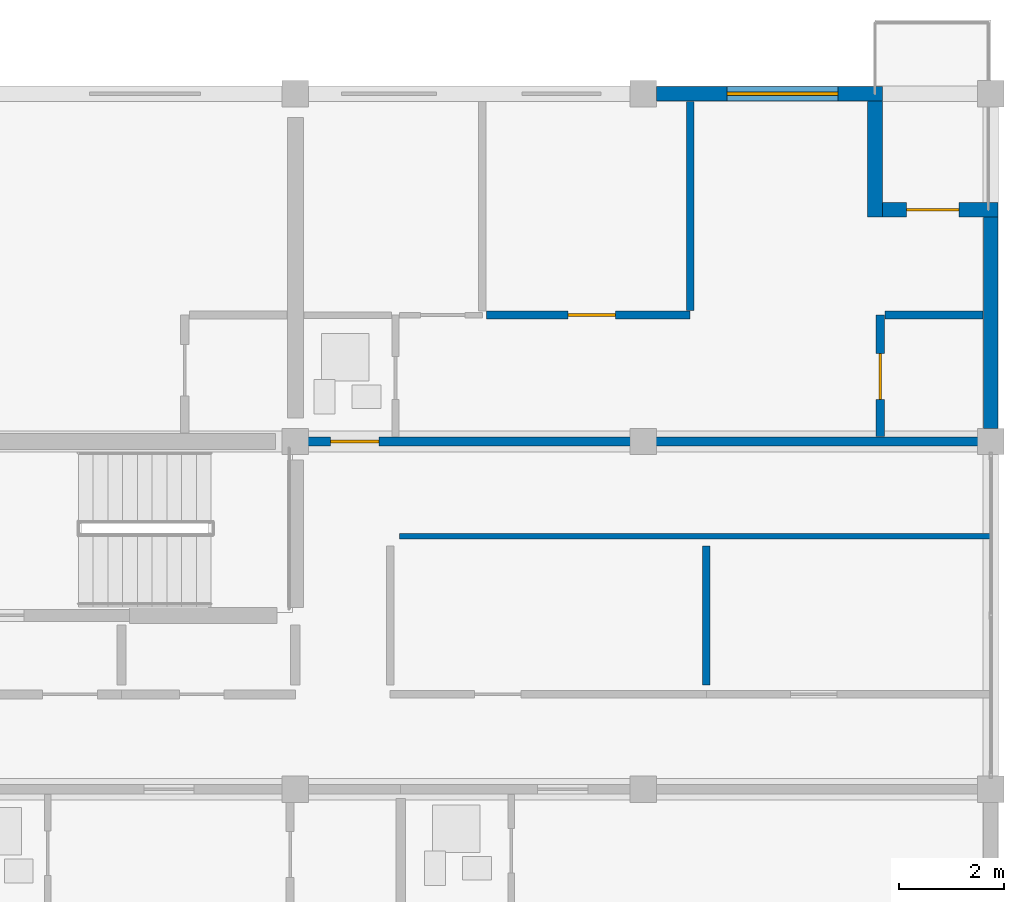
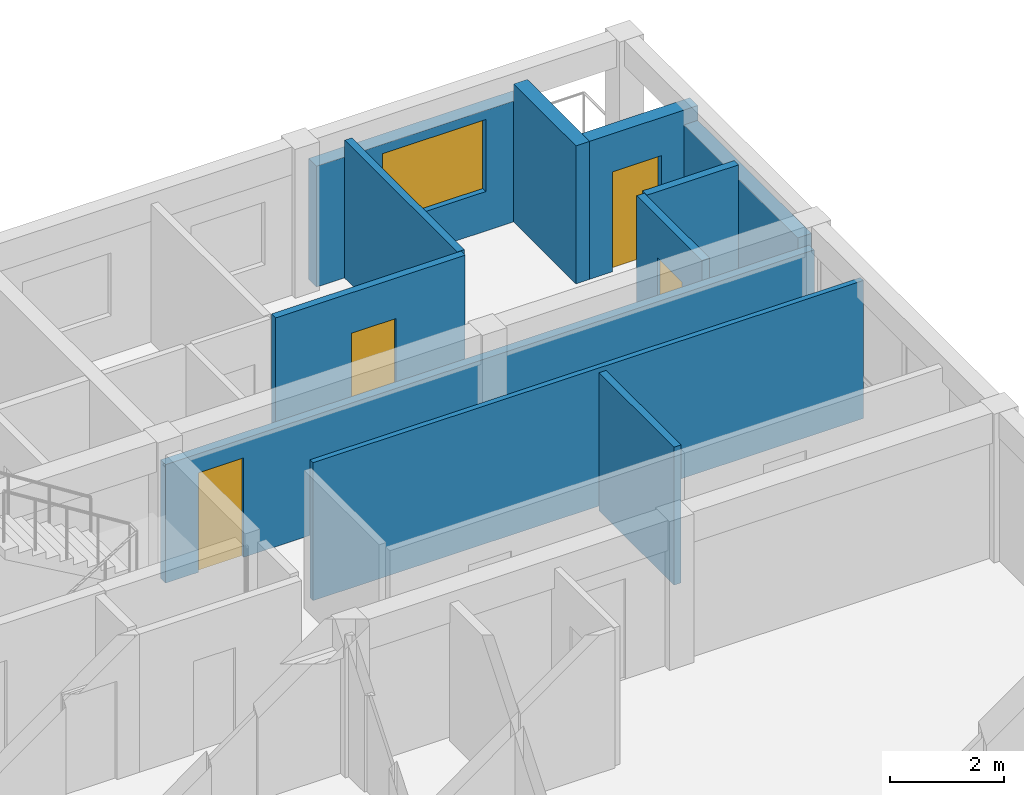
# One storey, part 38 of 49: 11 walls, 4 doors, 1 window, 5 openings.
"""IFC4 building model written with IfcOpenShell, lengths in metres."""

from ifc_helpers import new_model, si_unit, direction, frame, frame_2d, origin, place, context, subcontext, project, spatial, rectangle, extrude, material, layer, layer_set, type_object, element, fill, save


model = new_model("IFC4")

# Units and contexts
model_context = context("Model", 3, precision=1e-05, world=origin(), true_north=direction((0.0, 1.0)))
body_context = subcontext(model_context, "Body", "Model", "MODEL_VIEW")
ifc_project = project(units=[si_unit("LENGTHUNIT", "METRE"), si_unit("AREAUNIT", "SQUARE_METRE"), si_unit("VOLUMEUNIT", "CUBIC_METRE"), si_unit("PLANEANGLEUNIT", "RADIAN"), si_unit("MASSUNIT", "GRAM", prefix="KILO")], contexts=[model_context])

# Site, building, storey
site_placement = place(None, origin())
site = spatial("IfcSite", under=ifc_project, at=site_placement, CompositionType="ELEMENT")
building_placement = place(site_placement, origin())
building = spatial("IfcBuilding", under=site, at=building_placement, Name="Kernevlak Ridge Housing Community", CompositionType="ELEMENT")
storey_placement = place(building_placement, frame((0.0, 0.0, 30.800048828125)))
storey = spatial("IfcBuildingStorey", under=building, at=storey_placement, Name="L09", CompositionType="ELEMENT", Elevation=30.800048828125)

# Wall, opening, window
ifc_material_1 = material(Name="Concrete block masonry M10", Category="masonry")
ifc_layer_1 = layer(ifc_material_1, 0.280029296875, Name="Concrete block masonry M10")
ifc_layer_set_1 = layer_set([ifc_layer_1], Name="Concrete block masonry M10")
wall_type_1 = type_object("IfcWallType", Name="EW-03", PredefinedType="STANDARD", material=ifc_layer_set_1)
wall_1_placement = place(storey_placement, frame((146.050048828125, 102.39990234375, 0.0), z_axis=(0.0, 0.0, 1.0), x_axis=(1.0, 0.0, 0.0)))
wall_1 = element("IfcWall", 1, at=wall_1_placement, inside=storey, type_object=wall_type_1, Name="Exterior wall EW-03 L09 444", PredefinedType="STANDARD", context=body_context, shape_type="SweptSolid", body=[
    extrude(rectangle(XDim=4.2900390625, YDim=0.280029296875, at=frame_2d((2.14501953125, 0.0))), origin(), (0.0, 0.0, 1.0), 2.599853515625),
])
opening_1_placement = place(wall_1_placement, frame((1.345947265625, 0.0, 0.85009765625)))
opening_1 = element("IfcOpeningElement", 2, at=opening_1_placement, cuts=wall_1, Name="Opening WT-05", PredefinedType="OPENING", context=body_context, shape_type="SweptSolid", body=[
    extrude(rectangle(XDim=2.10009765625, YDim=1.550048828125, at=frame_2d((1.050048828125, 0.77490234375))), frame((0.0, 0.14990234375, 0.0), z_axis=(0.0, -1.0, 0.0), x_axis=(1.0, 0.0, 0.0)), (0.0, 0.0, 1.0), 0.300048828125),
])
ifc_material_2 = material(Name="Aluminium EN AW-6060 anodised and laminated glass", Category="aluminium")
window_type = type_object("IfcWindowType", Name="WT-05", PartitioningType="SINGLE_PANEL", PredefinedType="WINDOW", material=ifc_material_2)
window_placement = place(opening_1_placement, origin())
window = element("IfcWindow", 3, at=window_placement, inside=storey, type_object=window_type, Name="Window WT-05 L09 347", OverallHeight=1.550048828125, OverallWidth=2.10009765625, PartitioningType="SINGLE_PANEL", PredefinedType="WINDOW", context=body_context, shape_type="SweptSolid", body=[
    extrude(rectangle(XDim=2.10009765625, YDim=1.550048828125, at=frame_2d((1.050048828125, 0.77490234375))), frame((0.0, 0.030029296875, 0.0), z_axis=(0.0, -1.0, 0.0), x_axis=(1.0, 0.0, 0.0)), (0.0, 0.0, 1.0), 0.06005859375),
])
fill(opening_1, window)

# Wall
wall_2_placement = place(storey_placement, frame((150.199951171875, 102.260009765625, 0.0), z_axis=(0.0, 0.0, 1.0), x_axis=(0.0, -1.0, 0.0)))
element("IfcWall", 4, at=wall_2_placement, inside=storey, type_object=wall_type_1, Name="Exterior wall EW-03 L09 445", PredefinedType="STANDARD", context=body_context, shape_type="SweptSolid", body=[
    extrude(rectangle(XDim=2.199951171875, YDim=0.280029296875, at=frame_2d((1.10009765625, 0.0))), origin(), (0.0, 0.0, 1.0), 2.969970703125),
])

# Wall, opening, door
wall_3_placement = place(storey_placement, frame((150.340087890625, 100.199951171875, 0.0), z_axis=(0.0, 0.0, 1.0), x_axis=(1.0, 0.0, 0.0)))
wall_3 = element("IfcWall", 5, at=wall_3_placement, inside=storey, type_object=wall_type_1, Name="Exterior wall EW-03 L09 446", PredefinedType="STANDARD", context=body_context, shape_type="SweptSolid", body=[
    extrude(rectangle(XDim=2.199951171875, YDim=0.280029296875, at=frame_2d((1.10009765625, 0.0))), origin(), (0.0, 0.0, 1.0), 2.969970703125),
])
opening_2_placement = place(wall_3_placement, frame((0.4599609375, 0.0, 0.0)))
opening_2 = element("IfcOpeningElement", 6, at=opening_2_placement, cuts=wall_3, Name="Opening D894", PredefinedType="OPENING", context=body_context, shape_type="SweptSolid", body=[
    extrude(rectangle(XDim=1.0, YDim=2.14990234375, at=frame_2d((0.5, 1.074951171875))), frame((0.0, 0.14990234375, 0.0), z_axis=(0.0, -1.0, 0.0), x_axis=(1.0, 0.0, 0.0)), (0.0, 0.0, 1.0), 0.300048828125),
])
ifc_material_3 = material(Name="Aluminium EN AW-6060 and laminated safety glass", Category="aluminium")
door_type_1 = type_object("IfcDoorType", Name="DT-08", OperationType="NOTDEFINED", PredefinedType="DOOR", material=ifc_material_3)
door_1_placement = place(opening_2_placement, origin())
door_1 = element("IfcDoor", 7, at=door_1_placement, inside=storey, type_object=door_type_1, Name="Flat B0923 corner balcony glazed door D894", OperationType="SINGLE_SWING_RIGHT", OverallHeight=2.14990234375, OverallWidth=1.0, PredefinedType="DOOR", context=body_context, shape_type="SweptSolid", body=[
    extrude(rectangle(XDim=1.0, YDim=2.14990234375, at=frame_2d((0.5, 1.074951171875))), frame((0.0, 0.02490234375, 0.0), z_axis=(0.0, -1.0, 0.0), x_axis=(1.0, 0.0, 0.0)), (0.0, 0.0, 1.0), 0.050048828125),
])
fill(opening_2, door_1)

# Wall
wall_4_placement = place(storey_placement, frame((152.39990234375, 96.050048828125, 0.0), z_axis=(0.0, 0.0, 1.0), x_axis=(0.0, 1.0, 0.0)))
element("IfcWall", 8, at=wall_4_placement, inside=storey, type_object=wall_type_1, Name="Exterior wall EW-03 L09 450", PredefinedType="STANDARD", context=body_context, shape_type="SweptSolid", body=[
    extrude(rectangle(XDim=4.010009765625, YDim=0.280029296875, at=frame_2d((2.0048828125, 0.0))), origin(), (0.0, 0.0, 1.0), 2.64990234375),
])

# Wall, opening, door
ifc_layer_2 = layer(ifc_material_1, 0.175048828125, Name="Concrete block masonry M10")
ifc_layer_set_2 = layer_set([ifc_layer_2], Name="Concrete block masonry M10")
wall_type_2 = type_object("IfcWallType", Name="PW-02", PredefinedType="PARTITIONING", material=ifc_layer_set_2)
wall_5_placement = place(storey_placement, frame((139.199951171875, 95.800048828125, 0.0), z_axis=(0.0, 0.0, 1.0), x_axis=(1.0, 0.0, 0.0)))
wall_5 = element("IfcWall", 9, at=wall_5_placement, inside=storey, type_object=wall_type_2, Name="Interior wall PW-02 WAL-INT-L09-1756", PredefinedType="PARTITIONING", context=body_context, shape_type="SweptSolid", body=[
    extrude(rectangle(XDim=13.199951171875, YDim=0.175048828125, at=frame_2d((6.60009765625, 0.0))), origin(), (0.0, 0.0, 1.0), 2.550048828125),
])
opening_3_placement = place(wall_5_placement, frame((0.669921875, 0.0, 0.0)))
opening_3 = element("IfcOpeningElement", 10, at=opening_3_placement, cuts=wall_5, Name="Opening D889", PredefinedType="OPENING", context=body_context, shape_type="SweptSolid", body=[
    extrude(rectangle(XDim=0.919921875, YDim=2.139892578125, at=frame_2d((0.4599609375, 1.06982421875))), frame((0.0, 0.097412109375, 0.0), z_axis=(0.0, -1.0, 0.0), x_axis=(1.0, 0.0, 0.0)), (0.0, 0.0, 1.0), 0.195068359375),
])
ifc_material_4 = material(Name="Hardwood timber solid-core fire leaf", Category="wood")
door_type_2 = type_object("IfcDoorType", Name="DT-20", OperationType="NOTDEFINED", PredefinedType="DOOR", material=ifc_material_4)
door_2_placement = place(opening_3_placement, origin())
door_2 = element("IfcDoor", 11, at=door_2_placement, inside=storey, type_object=door_type_2, Name="Flat B0923 entrance fire door D889", OperationType="SINGLE_SWING_LEFT", OverallHeight=2.139892578125, OverallWidth=0.919921875, PredefinedType="DOOR", context=body_context, shape_type="SweptSolid", body=[
    extrude(rectangle(XDim=0.919921875, YDim=2.139892578125, at=frame_2d((0.4599609375, 1.06982421875))), frame((0.0, 0.02490234375, 0.0), z_axis=(0.0, -1.0, 0.0), x_axis=(1.0, 0.0, 0.0)), (0.0, 0.0, 1.0), 0.050048828125),
])
fill(opening_3, door_2)

# Wall
ifc_layer_3 = layer(ifc_material_1, 0.14501953125, Name="Concrete block masonry M10")
ifc_layer_set_3 = layer_set([ifc_layer_3], Name="Concrete block masonry M10")
wall_type_3 = type_object("IfcWallType", Name="PW-03", PredefinedType="PARTITIONING", material=ifc_layer_set_3)
wall_6_placement = place(storey_placement, frame((147.0, 91.179931640625, 0.0), z_axis=(0.0, 0.0, 1.0), x_axis=(0.0, 1.0, 0.0)))
element("IfcWall", 12, at=wall_6_placement, inside=storey, type_object=wall_type_3, Name="Interior wall PW-03 WAL-INT-L09-1720", PredefinedType="PARTITIONING", context=body_context, shape_type="SweptSolid", body=[
    extrude(rectangle(XDim=2.64013671875, YDim=0.14501953125, at=frame_2d((1.320068359375, 0.0))), origin(), (0.0, 0.0, 1.0), 2.969970703125),
])

# Wall, opening, door
wall_7_placement = place(storey_placement, frame((142.83251953125, 98.199951171875, 0.0), z_axis=(0.0, 0.0, 1.0), x_axis=(1.0, 0.0, 0.0)))
wall_7 = element("IfcWall", 13, at=wall_7_placement, inside=storey, type_object=wall_type_3, Name="Interior wall PW-03 WAL-INT-L09-1763", PredefinedType="PARTITIONING", context=body_context, shape_type="SweptSolid", body=[
    extrude(rectangle(XDim=3.859375, YDim=0.14501953125, at=frame_2d((1.9296875, 0.0))), origin(), (0.0, 0.0, 1.0), 2.969970703125),
])
opening_4_placement = place(wall_7_placement, frame((1.5458984375, 0.0, 0.0)))
opening_4 = element("IfcOpeningElement", 14, at=opening_4_placement, cuts=wall_7, Name="Opening D893", PredefinedType="OPENING", context=body_context, shape_type="SweptSolid", body=[
    extrude(rectangle(XDim=0.89990234375, YDim=2.10009765625, at=frame_2d((0.449951171875, 1.050048828125))), frame((0.0, 0.08251953125, 0.0), z_axis=(0.0, -1.0, 0.0), x_axis=(1.0, 0.0, 0.0)), (0.0, 0.0, 1.0), 0.1650390625),
])
ifc_material_5 = material(Name="Hardwood timber leaf", Category="wood")
door_type_3 = type_object("IfcDoorType", Name="DT-21", OperationType="NOTDEFINED", PredefinedType="DOOR", material=ifc_material_5)
door_3_placement = place(opening_4_placement, origin())
door_3 = element("IfcDoor", 15, at=door_3_placement, inside=storey, type_object=door_type_3, Name="Flat B0923 bedroom door D893", OperationType="SINGLE_SWING_LEFT", OverallHeight=2.10009765625, OverallWidth=0.89990234375, PredefinedType="DOOR", context=body_context, shape_type="SweptSolid", body=[
    extrude(rectangle(XDim=0.89990234375, YDim=2.10009765625, at=frame_2d((0.449951171875, 1.050048828125))), frame((0.0, 0.02490234375, 0.0), z_axis=(0.0, -1.0, 0.0), x_axis=(1.0, 0.0, 0.0)), (0.0, 0.0, 1.0), 0.050048828125),
])
fill(opening_4, door_3)

# Wall
wall_8_placement = place(storey_placement, frame((146.69189453125, 98.282470703125, 0.0), z_axis=(0.0, 0.0, 1.0), x_axis=(0.0, 1.0, 0.0)))
element("IfcWall", 16, at=wall_8_placement, inside=storey, type_object=wall_type_3, Name="Interior wall PW-03 WAL-INT-L09-1764", PredefinedType="PARTITIONING", context=body_context, shape_type="SweptSolid", body=[
    extrude(rectangle(XDim=3.967529296875, YDim=0.14501953125, at=frame_2d((1.98388671875, 0.0))), origin(), (0.0, 0.0, 1.0), 2.969970703125),
])

# Wall, opening, door
ifc_material_6 = material(Name="Gypsum plasterboard EN 520", Category="gypsum")
ifc_layer_4 = layer(ifc_material_6, 0.155029296875, Name="Gypsum plasterboard EN 520")
ifc_layer_set_4 = layer_set([ifc_layer_4], Name="Gypsum plasterboard EN 520")
wall_type_4 = type_object("IfcWallType", Name="PW-05", PredefinedType="PARTITIONING", material=ifc_layer_set_4)
wall_9_placement = place(storey_placement, frame((150.300048828125, 95.8974609375, 0.0), z_axis=(0.0, 0.0, 1.0), x_axis=(0.0, 1.0, 0.0)))
wall_9 = element("IfcWall", 17, at=wall_9_placement, inside=storey, type_object=wall_type_4, Name="Interior wall PW-05 WAL-INT-L09-1759", PredefinedType="PARTITIONING", context=body_context, shape_type="SweptSolid", body=[
    extrude(rectangle(XDim=2.302490234375, YDim=0.155029296875, at=frame_2d((1.1513671875, 0.0))), origin(), (0.0, 0.0, 1.0), 2.969970703125),
])
opening_5_placement = place(wall_9_placement, frame((0.699951171875, 0.0, 0.0)))
opening_5 = element("IfcOpeningElement", 18, at=opening_5_placement, cuts=wall_9, Name="Opening D891", PredefinedType="OPENING", context=body_context, shape_type="SweptSolid", body=[
    extrude(rectangle(XDim=0.8701171875, YDim=2.080078125, at=frame_2d((0.43505859375, 1.0400390625))), frame((0.0, 0.08740234375, 0.0), z_axis=(0.0, -1.0, 0.0), x_axis=(1.0, 0.0, 0.0)), (0.0, 0.0, 1.0), 0.175048828125),
])
door_type_4 = type_object("IfcDoorType", Name="DT-32", OperationType="NOTDEFINED", PredefinedType="DOOR", material=ifc_material_5)
door_4_placement = place(opening_5_placement, origin())
door_4 = element("IfcDoor", 19, at=door_4_placement, inside=storey, type_object=door_type_4, Name="Flat B0923 kitchen door D891", OperationType="SINGLE_SWING_LEFT", OverallHeight=2.080078125, OverallWidth=0.8701171875, PredefinedType="DOOR", context=body_context, shape_type="SweptSolid", body=[
    extrude(rectangle(XDim=0.8701171875, YDim=2.080078125, at=frame_2d((0.43505859375, 1.0400390625))), frame((0.0, 0.02490234375, 0.0), z_axis=(0.0, -1.0, 0.0), x_axis=(1.0, 0.0, 0.0)), (0.0, 0.0, 1.0), 0.050048828125),
])
fill(opening_5, door_4)

# Walls
wall_10_placement = place(storey_placement, frame((150.387451171875, 98.199951171875, 0.0), z_axis=(0.0, 0.0, 1.0), x_axis=(1.0, 0.0, 0.0)))
element("IfcWall", 20, at=wall_10_placement, inside=storey, type_object=wall_type_4, Name="Interior wall PW-05 WAL-INT-L09-1760", PredefinedType="PARTITIONING", context=body_context, shape_type="SweptSolid", body=[
    extrude(rectangle(XDim=1.862548828125, YDim=0.155029296875, at=frame_2d((0.93115234375, 0.0))), origin(), (0.0, 0.0, 1.0), 2.969970703125),
])
ifc_layer_5 = layer(ifc_material_6, 0.10498046875, Name="Gypsum plasterboard EN 520")
ifc_layer_set_5 = layer_set([ifc_layer_5], Name="Gypsum plasterboard EN 520")
wall_type_5 = type_object("IfcWallType", Name="PW-06", PredefinedType="PARTITIONING", material=ifc_layer_set_5)
wall_11_placement = place(storey_placement, frame((141.179931640625, 94.0, 0.0), z_axis=(0.0, 0.0, 1.0), x_axis=(1.0, 0.0, 0.0)))
element("IfcWall", 21, at=wall_11_placement, inside=storey, type_object=wall_type_5, Name="Interior wall PW-06 WAL-INT-L09-1721", PredefinedType="PARTITIONING", context=body_context, shape_type="SweptSolid", body=[
    extrude(rectangle(XDim=11.199951171875, YDim=0.10498046875, at=frame_2d((5.60009765625, 0.0))), origin(), (0.0, 0.0, 1.0), 2.969970703125),
])

save(model, "model.ifc")
